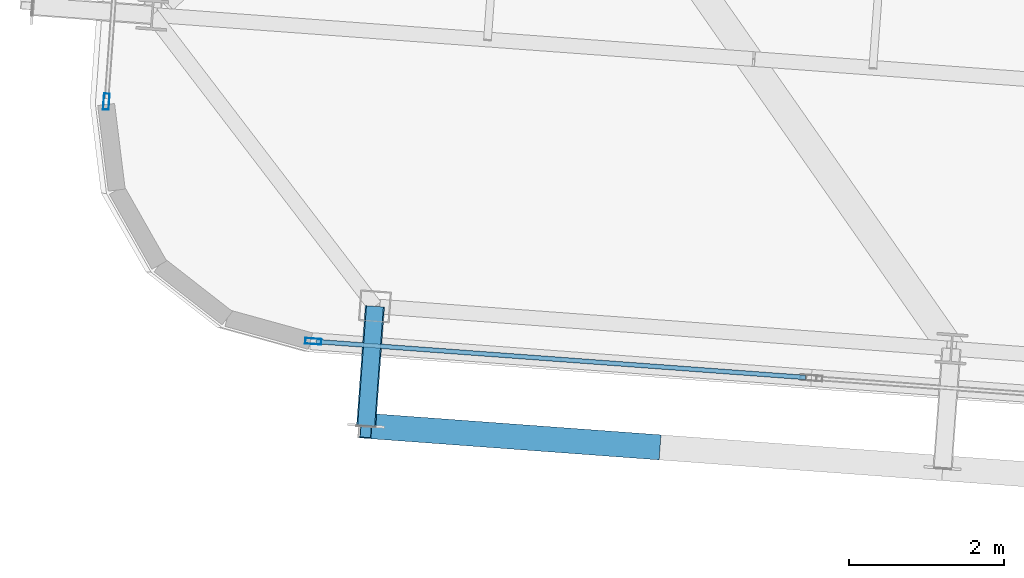
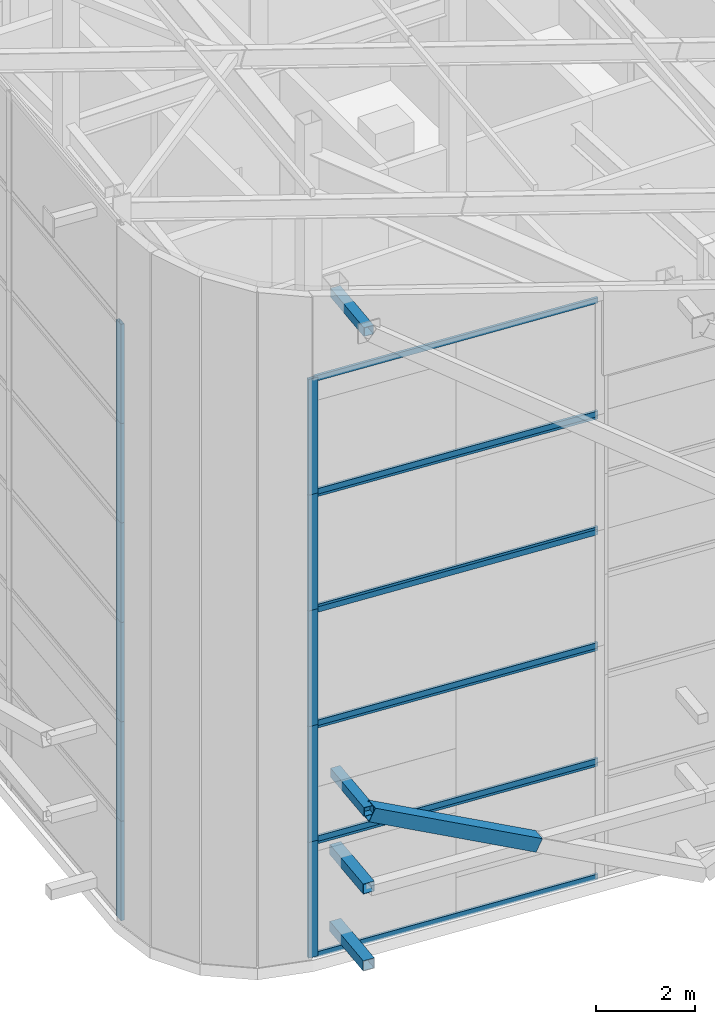
# One storey, part 3 of 56: 26 members, 11 elements without a shape of their own.
"""IFC4 building model written with IfcOpenShell, lengths in metres."""

from ifc_helpers import new_model, si_unit, direction, frame, origin, origin_2d, place, context, subcontext, project, spatial, hollow_rectangle, extrude, source, transform, mapped, material, layer, layer_set, material_profile, profile_set, type_object, element, aggregate, save


model = new_model("IFC4")

# Units and contexts
model_context = context("Model", 3, precision=1e-05, world=origin(), true_north=direction((0.0, 1.0)))
body_context = subcontext(model_context, "Body", "Model", "MODEL_VIEW")
ifc_project = project(units=[si_unit("LENGTHUNIT", "METRE"), si_unit("AREAUNIT", "SQUARE_METRE"), si_unit("VOLUMEUNIT", "CUBIC_METRE"), si_unit("PLANEANGLEUNIT", "RADIAN"), si_unit("MASSUNIT", "GRAM", prefix="KILO")], contexts=[model_context])

# Site, building, storey
site_placement = place(None, origin())
site = spatial("IfcSite", under=ifc_project, at=site_placement, CompositionType="ELEMENT")
building_placement = place(site_placement, origin())
building = spatial("IfcBuilding", under=site, at=building_placement, Name="Taldren Reach Tower", CompositionType="ELEMENT")
storey_placement = place(building_placement, frame((0.0, 0.0, 253.050048828125)))
storey = spatial("IfcBuildingStorey", under=building, at=storey_placement, Name="L77", CompositionType="ELEMENT", Elevation=253.050048828125)

# Members
ifc_material_1 = material(Name="Steel Gr 350 (C350L0)", Category="steel")
ifc_material_profile_1 = material_profile(ifc_material_1, hollow_rectangle(XDim=0.25, YDim=0.25, WallThickness=0.010009765625, at=origin_2d()), Name="250x250x10.0SHS")
ifc_profile_set_1 = profile_set([ifc_material_profile_1], Name="Steel Gr 350 (C350L0)")
member_type_1 = type_object("IfcMemberType", Name="MB-POST250", PredefinedType="POST", material=ifc_profile_set_1)
shared_shape_1 = source(origin(), body_context, "Body", "SweptSolid", [
    extrude(hollow_rectangle(XDim=0.25, YDim=0.25, WallThickness=0.010009765625, at=origin_2d()), origin(), (0.0, 0.0, 1.0), 1.550048828125),
])
for number, where, z_axis, x_axis, name in (
    (1, (15.140625, 6.460205078125, 0.219970703125), (-0.07323929162, -0.997314396849, 0.0), (0.997314396849, -0.07323929162, 0.0), "Exoskeleton base diaphragm tie strut B5-S1 L77"),
    (2, (15.140625, 6.460205078125, 2.10986328125), (-0.07323929162, -0.997314396849, 0.0), (0.997314396849, -0.07323929162, 0.0), "Exoskeleton mid-tier diaphragm tie B5-S1 L77"),
):
    element("IfcMember", number, at=place(storey_placement, frame(where, z_axis=z_axis, x_axis=x_axis)), inside=storey, type_object=member_type_1, Name=name, PredefinedType="POST", context=body_context, shape_type="MappedRepresentation", body=[
        mapped(shared_shape_1, transform((0.0, 0.0, 0.0), scale=1.0)),
    ])
ifc_material_2 = material(Name="Steel Gr 450 (C450L0)", Category="steel")
ifc_material_profile_2 = material_profile(ifc_material_2, hollow_rectangle(XDim=0.219970703125, YDim=0.219970703125, WallThickness=0.00830078125, at=origin_2d()), Name="220x220x8.2SHS")
ifc_profile_set_2 = profile_set([ifc_material_profile_2], Name="Steel Gr 450 (C450L0)")
member_type_2 = type_object("IfcMemberType", Name="MB-TIE219", PredefinedType="STRUT", material=ifc_profile_set_2)
shared_shape_2 = source(origin(), body_context, "Body", "SweptSolid", [
    extrude(hollow_rectangle(XDim=0.219970703125, YDim=0.219970703125, WallThickness=0.00830078125, at=origin_2d()), origin(), (0.0, 0.0, 1.0), 1.550048828125),
])
for number, where, z_axis, x_axis, name in (
    (3, (15.140625, 6.460205078125, 15.810546875), (-0.07323929162, -0.997314396849, 0.0), (0.997314396849, -0.07323929162, 0.0), "Exoskeleton diaphragm tie strut B5-S1 L77"),
    (4, (15.140625, 6.460205078125, 4.0), (-0.07323929162, -0.997314396849, 0.0), (0.997314396849, -0.07323929162, 0.0), "Crown exoskeleton mid-tier tie strut B5-S1"),
):
    element("IfcMember", number, at=place(storey_placement, frame(where, z_axis=z_axis, x_axis=x_axis)), inside=storey, type_object=member_type_2, Name=name, PredefinedType="STRUT", context=body_context, shape_type="MappedRepresentation", body=[
        mapped(shared_shape_2, transform((0.0, 0.0, 0.0), scale=1.0)),
    ])
ifc_material_profile_3 = material_profile(ifc_material_2, hollow_rectangle(XDim=0.324951171875, YDim=0.324951171875, WallThickness=0.0126953125, at=origin_2d()), Name="325x325x12.7SHS")
ifc_profile_set_3 = profile_set([ifc_material_profile_3], Name="Steel Gr 450 (C450L0)")
member_type_3 = type_object("IfcMemberType", Name="MB-BR324", PredefinedType="BRACE", material=ifc_profile_set_3)
shared_shape_3 = source(origin(), body_context, "Body", "SweptSolid", [
    extrude(hollow_rectangle(XDim=0.324951171875, YDim=0.324951171875, WallThickness=0.0126953125, at=origin_2d()), origin(), (0.0, 0.0, 1.0), 4.1904296875),
])
member_1_placement = place(storey_placement, frame((18.757080078125, 4.640380859375, 2.10986328125), z_axis=(-0.890100973194, 0.065368064663, 0.451051298237), x_axis=(-0.07324169103, -0.997314220642, 0.0)))
element("IfcMember", 5, at=member_1_placement, inside=storey, type_object=member_type_3, Name="Exoskeleton Diagrid Brace B5-S1 L77", PredefinedType="BRACE", context=body_context, shape_type="MappedRepresentation", body=[
    mapped(shared_shape_3, transform((0.0, 0.0, 0.0), scale=1.0)),
])

# Curtain wall, member
ifc_material_3 = material(Name="Aluminium and Low-E Glass Unitised System", Category="aluminium")
ifc_layer = layer(ifc_material_3, 0.159912109375)
ifc_layer_set = layer_set([ifc_layer], Name="Aluminium and Low-E Glass Unitised System")
curtain_wall_type = type_object("IfcCurtainWallType", Name="CW-SYS-8", PredefinedType="NOTDEFINED", material=ifc_layer_set)
curtain_wall_1_placement = place(storey_placement, origin())
curtain_wall_1 = element("IfcCurtainWall", 6, at=curtain_wall_1_placement, inside=storey, type_object=curtain_wall_type, Name="Unitised curtain wall CW8-L77-W", PredefinedType="NOTDEFINED")
ifc_material_4 = material(Name="Anodised Aluminium 6063-T6", Category="aluminium")
ifc_material_profile_4 = material_profile(ifc_material_4, hollow_rectangle(XDim=0.074951171875, YDim=0.2099609375, WallThickness=0.00439453125, at=origin_2d()), Name="ALU-210x75x4.5RHS")
ifc_profile_set_4 = profile_set([ifc_material_profile_4], Name="Anodised Aluminium 6063-T6")
member_type_4 = type_object("IfcMemberType", Name="CW-MUL-200", PredefinedType="MULLION", material=ifc_profile_set_4)
shared_shape_4 = source(origin(), body_context, "Body", "SweptSolid", [
    extrude(hollow_rectangle(XDim=0.074951171875, YDim=0.2099609375, WallThickness=0.00439453125, at=origin_2d()), origin(), (0.0, 0.0, 1.0), 2.4462890625),
])
member_2_placement = place(storey_placement, frame((11.665283203125, 9.109375, 0.0), z_axis=(0.0, 0.0, 1.0), x_axis=(0.997314470951, -0.073238282558, 0.0)))
member_2 = element("IfcMember", 7, at=member_2_placement, type_object=member_type_4, Name="CW-8 mullion 6", PredefinedType="MULLION", context=body_context, shape_type="MappedRepresentation", body=[
    mapped(shared_shape_4, transform((0.0, 0.0, 0.0), scale=1.0)),
])
aggregate(curtain_wall_1, [member_2])

curtain_wall_2_placement = place(storey_placement, origin())
curtain_wall_2 = element("IfcCurtainWall", 8, at=curtain_wall_2_placement, inside=storey, type_object=curtain_wall_type, Name="Unitised curtain wall CW8-L77-W-T3", PredefinedType="NOTDEFINED")
member_3_placement = place(storey_placement, frame((11.665283203125, 9.109375, 4.892822265625), z_axis=(0.0, 0.0, 1.0), x_axis=(0.997314470951, -0.073238282558, 0.0)))
member_3 = element("IfcMember", 9, at=member_3_placement, type_object=member_type_4, Name="CW-8 mullion 6", PredefinedType="MULLION", context=body_context, shape_type="MappedRepresentation", body=[
    mapped(shared_shape_4, transform((0.0, 0.0, 0.0), scale=1.0)),
])
aggregate(curtain_wall_2, [member_3])

curtain_wall_3_placement = place(storey_placement, origin())
curtain_wall_3 = element("IfcCurtainWall", 10, at=curtain_wall_3_placement, inside=storey, type_object=curtain_wall_type, Name="Unitised curtain wall CW8-L77-W-T5", PredefinedType="NOTDEFINED")
member_4_placement = place(storey_placement, frame((11.665283203125, 9.109375, 9.78564453125), z_axis=(0.0, 0.0, 1.0), x_axis=(0.997314470951, -0.073238282558, 0.0)))
member_4 = element("IfcMember", 11, at=member_4_placement, type_object=member_type_4, Name="CW-8 mullion 6", PredefinedType="MULLION", context=body_context, shape_type="MappedRepresentation", body=[
    mapped(shared_shape_4, transform((0.0, 0.0, 0.0), scale=1.0)),
])
aggregate(curtain_wall_3, [member_4])

curtain_wall_4_placement = place(storey_placement, origin())
curtain_wall_4 = element("IfcCurtainWall", 12, at=curtain_wall_4_placement, inside=storey, type_object=curtain_wall_type, Name="Unitised curtain wall CW8-L77-W-T2", PredefinedType="NOTDEFINED")
shared_shape_5 = source(origin(), body_context, "Body", "SweptSolid", [
    extrude(hollow_rectangle(XDim=0.074951171875, YDim=0.2099609375, WallThickness=0.00439453125, at=origin_2d()), origin(), (0.0, 0.0, 1.0), 2.446533203125),
])
member_5_placement = place(storey_placement, frame((11.665283203125, 9.109375, 2.4462890625), z_axis=(0.0, 0.0, 1.0), x_axis=(0.997314470951, -0.073238282558, 0.0)))
member_5 = element("IfcMember", 13, at=member_5_placement, type_object=member_type_4, Name="CW-8 mullion 6", PredefinedType="MULLION", context=body_context, shape_type="MappedRepresentation", body=[
    mapped(shared_shape_5, transform((0.0, 0.0, 0.0), scale=1.0)),
])
aggregate(curtain_wall_4, [member_5])

curtain_wall_5_placement = place(storey_placement, origin())
curtain_wall_5 = element("IfcCurtainWall", 14, at=curtain_wall_5_placement, inside=storey, type_object=curtain_wall_type, Name="Unitised curtain wall CW8-L77-W-T4", PredefinedType="NOTDEFINED")
member_6_placement = place(storey_placement, frame((11.665283203125, 9.109375, 7.339111328125), z_axis=(0.0, 0.0, 1.0), x_axis=(0.997314470951, -0.073238282558, 0.0)))
member_6 = element("IfcMember", 15, at=member_6_placement, type_object=member_type_4, Name="CW-8 mullion 6", PredefinedType="MULLION", context=body_context, shape_type="MappedRepresentation", body=[
    mapped(shared_shape_5, transform((0.0, 0.0, 0.0), scale=1.0)),
])
aggregate(curtain_wall_5, [member_6])

curtain_wall_6_placement = place(storey_placement, origin())
curtain_wall_6 = element("IfcCurtainWall", 16, at=curtain_wall_6_placement, inside=storey, type_object=curtain_wall_type, Name="Unitised curtain wall CW8-L77-W-T6", PredefinedType="NOTDEFINED")
member_7_placement = place(storey_placement, frame((11.665283203125, 9.109375, 12.23193359375), z_axis=(0.0, 0.0, 1.0), x_axis=(0.997314470951, -0.073238282558, 0.0)))
member_7 = element("IfcMember", 17, at=member_7_placement, type_object=member_type_4, Name="CW-8 mullion 6", PredefinedType="MULLION", context=body_context, shape_type="MappedRepresentation", body=[
    mapped(shared_shape_5, transform((0.0, 0.0, 0.0), scale=1.0)),
])
aggregate(curtain_wall_6, [member_7])

curtain_wall_7_placement = place(storey_placement, origin())
curtain_wall_7 = element("IfcCurtainWall", 18, at=curtain_wall_7_placement, inside=storey, type_object=curtain_wall_type, Name="Unitised curtain wall CW8-L77-S1", PredefinedType="NOTDEFINED")
shared_shape_6 = source(origin(), body_context, "Body", "SweptSolid", [
    extrude(hollow_rectangle(XDim=0.074951171875, YDim=0.2099609375, WallThickness=0.00439453125, at=origin_2d()), origin(), (0.0, 0.0, 1.0), 2.848388671875),
])
member_8_placement = place(storey_placement, frame((14.3427734375, 6.007568359375, 0.0), z_axis=(0.0, 0.0, 1.0), x_axis=(0.073238506213, 0.997314454527, 0.0)))
member_8 = element("IfcMember", 19, at=member_8_placement, type_object=member_type_4, Name="CW-8 mullion 1", PredefinedType="MULLION", context=body_context, shape_type="MappedRepresentation", body=[
    mapped(shared_shape_6, transform((0.0, 0.0, 0.0), scale=1.0)),
])

curtain_wall_8_placement = place(storey_placement, origin())
curtain_wall_8 = element("IfcCurtainWall", 20, at=curtain_wall_8_placement, inside=storey, type_object=curtain_wall_type, Name="Unitised curtain wall CW8-L77-S1-T3", PredefinedType="NOTDEFINED")
member_9_placement = place(storey_placement, frame((14.3427734375, 6.007568359375, 5.696533203125), z_axis=(0.0, 0.0, 1.0), x_axis=(0.073238506213, 0.997314454527, 0.0)))
member_9 = element("IfcMember", 21, at=member_9_placement, type_object=member_type_4, Name="CW-8 mullion 1", PredefinedType="MULLION", context=body_context, shape_type="MappedRepresentation", body=[
    mapped(shared_shape_6, transform((0.0, 0.0, 0.0), scale=1.0)),
])

curtain_wall_9_placement = place(storey_placement, origin())
curtain_wall_9 = element("IfcCurtainWall", 22, at=curtain_wall_9_placement, inside=storey, type_object=curtain_wall_type, Name="Unitised curtain wall CW8-L77-S1-T4", PredefinedType="NOTDEFINED")
member_10_placement = place(storey_placement, frame((14.3427734375, 6.007568359375, 8.544921875), z_axis=(0.0, 0.0, 1.0), x_axis=(0.073238506213, 0.997314454527, 0.0)))
member_10 = element("IfcMember", 23, at=member_10_placement, type_object=member_type_4, Name="CW-8 mullion 1", PredefinedType="MULLION", context=body_context, shape_type="MappedRepresentation", body=[
    mapped(shared_shape_6, transform((0.0, 0.0, 0.0), scale=1.0)),
])

# Member
ifc_material_profile_5 = material_profile(ifc_material_4, hollow_rectangle(XDim=0.06005859375, YDim=0.135009765625, WallThickness=0.00341796875, at=origin_2d()), Name="ALU-135x60x3.5RHS")
ifc_profile_set_5 = profile_set([ifc_material_profile_5], Name="Anodised Aluminium 6063-T6")
member_type_5 = type_object("IfcMemberType", Name="CW-TRN-150", PredefinedType="USERDEFINED", material=ifc_profile_set_5)
shared_shape_7 = source(origin(), body_context, "Body", "SweptSolid", [
    extrude(hollow_rectangle(XDim=0.06005859375, YDim=0.135009765625, WallThickness=0.00341796875, at=origin_2d()), origin(), (0.0, 0.0, 1.0), 6.349853515625),
])
member_11_placement = place(storey_placement, frame((14.38037109375, 6.004638671875, 0.030029296875), z_axis=(0.997314030932, -0.073244274217, 0.0), x_axis=(0.073244274217, 0.997314030932, 0.0)))
member_11 = element("IfcMember", 24, at=member_11_placement, type_object=member_type_5, Name="CW-8 transom 1.1", ObjectType="TRANSOM", PredefinedType="USERDEFINED", context=body_context, shape_type="MappedRepresentation", body=[
    mapped(shared_shape_7, transform((0.0, 0.0, 0.0), scale=1.0)),
])

member_12_placement = place(storey_placement, frame((14.38037109375, 6.004638671875, 2.818359375), z_axis=(0.997314030932, -0.073244274217, 0.0), x_axis=(0.073244274217, 0.997314030932, 0.0)))
member_12 = element("IfcMember", 25, at=member_12_placement, type_object=member_type_5, Name="CW-8 transom 1.2", ObjectType="TRANSOM", PredefinedType="USERDEFINED", context=body_context, shape_type="MappedRepresentation", body=[
    mapped(shared_shape_7, transform((0.0, 0.0, 0.0), scale=1.0)),
])

aggregate(curtain_wall_7, [member_8, member_11, member_12])

# Curtain wall, members
curtain_wall_10_placement = place(storey_placement, origin())
curtain_wall_10 = element("IfcCurtainWall", 26, at=curtain_wall_10_placement, inside=storey, type_object=curtain_wall_type, Name="Unitised curtain wall CW8-L77-S1-T2", PredefinedType="NOTDEFINED")
member_13_placement = place(storey_placement, frame((14.38037109375, 6.004638671875, 2.878173828125), z_axis=(0.997314030932, -0.073244274217, 0.0), x_axis=(0.073244274217, 0.997314030932, 0.0)))
member_13 = element("IfcMember", 27, at=member_13_placement, type_object=member_type_5, Name="CW-8 transom 1.1", ObjectType="TRANSOM", PredefinedType="USERDEFINED", context=body_context, shape_type="MappedRepresentation", body=[
    mapped(shared_shape_7, transform((0.0, 0.0, 0.0), scale=1.0)),
])
member_14_placement = place(storey_placement, frame((14.38037109375, 6.004638671875, 5.66650390625), z_axis=(0.997314030932, -0.073244274217, 0.0), x_axis=(0.073244274217, 0.997314030932, 0.0)))
member_14 = element("IfcMember", 28, at=member_14_placement, type_object=member_type_5, Name="CW-8 transom 1.2", ObjectType="TRANSOM", PredefinedType="USERDEFINED", context=body_context, shape_type="MappedRepresentation", body=[
    mapped(shared_shape_7, transform((0.0, 0.0, 0.0), scale=1.0)),
])

# Member
member_15_placement = place(storey_placement, frame((14.38037109375, 6.004638671875, 5.7265625), z_axis=(0.997314030932, -0.073244274217, 0.0), x_axis=(0.073244274217, 0.997314030932, 0.0)))
member_15 = element("IfcMember", 29, at=member_15_placement, type_object=member_type_5, Name="CW-8 transom 1.1", ObjectType="TRANSOM", PredefinedType="USERDEFINED", context=body_context, shape_type="MappedRepresentation", body=[
    mapped(shared_shape_7, transform((0.0, 0.0, 0.0), scale=1.0)),
])

member_16_placement = place(storey_placement, frame((14.38037109375, 6.004638671875, 8.514892578125), z_axis=(0.997314030932, -0.073244274217, 0.0), x_axis=(0.073244274217, 0.997314030932, 0.0)))
member_16 = element("IfcMember", 30, at=member_16_placement, type_object=member_type_5, Name="CW-8 transom 1.2", ObjectType="TRANSOM", PredefinedType="USERDEFINED", context=body_context, shape_type="MappedRepresentation", body=[
    mapped(shared_shape_7, transform((0.0, 0.0, 0.0), scale=1.0)),
])

aggregate(curtain_wall_8, [member_9, member_15, member_16])

member_17_placement = place(storey_placement, frame((14.38037109375, 6.004638671875, 8.574951171875), z_axis=(0.997314030932, -0.073244274217, 0.0), x_axis=(0.073244274217, 0.997314030932, 0.0)))
member_17 = element("IfcMember", 31, at=member_17_placement, type_object=member_type_5, Name="CW-8 transom 1.1", ObjectType="TRANSOM", PredefinedType="USERDEFINED", context=body_context, shape_type="MappedRepresentation", body=[
    mapped(shared_shape_7, transform((0.0, 0.0, 0.0), scale=1.0)),
])

member_18_placement = place(storey_placement, frame((14.38037109375, 6.004638671875, 11.36328125), z_axis=(0.997314030932, -0.073244274217, 0.0), x_axis=(0.073244274217, 0.997314030932, 0.0)))
member_18 = element("IfcMember", 32, at=member_18_placement, type_object=member_type_5, Name="CW-8 transom 1.2", ObjectType="TRANSOM", PredefinedType="USERDEFINED", context=body_context, shape_type="MappedRepresentation", body=[
    mapped(shared_shape_7, transform((0.0, 0.0, 0.0), scale=1.0)),
])

aggregate(curtain_wall_9, [member_10, member_17, member_18])

# Curtain wall, members
curtain_wall_11_placement = place(storey_placement, origin())
curtain_wall_11 = element("IfcCurtainWall", 33, at=curtain_wall_11_placement, inside=storey, type_object=curtain_wall_type, Name="Unitised curtain wall CW8-L77-S1-T5", PredefinedType="NOTDEFINED")
member_19_placement = place(storey_placement, frame((14.38037109375, 6.004638671875, 11.42333984375), z_axis=(0.997314030932, -0.073244274217, 0.0), x_axis=(0.073244274217, 0.997314030932, 0.0)))
member_19 = element("IfcMember", 34, at=member_19_placement, type_object=member_type_5, Name="CW-8 transom 1.1", ObjectType="TRANSOM", PredefinedType="USERDEFINED", context=body_context, shape_type="MappedRepresentation", body=[
    mapped(shared_shape_7, transform((0.0, 0.0, 0.0), scale=1.0)),
])
member_20_placement = place(storey_placement, frame((14.38037109375, 6.004638671875, 14.211669921875), z_axis=(0.997314030932, -0.073244274217, 0.0), x_axis=(0.073244274217, 0.997314030932, 0.0)))
member_20 = element("IfcMember", 35, at=member_20_placement, type_object=member_type_5, Name="CW-8 transom 1.2", ObjectType="TRANSOM", PredefinedType="USERDEFINED", context=body_context, shape_type="MappedRepresentation", body=[
    mapped(shared_shape_7, transform((0.0, 0.0, 0.0), scale=1.0)),
])

# Member
shared_shape_8 = source(origin(), body_context, "Body", "SweptSolid", [
    extrude(hollow_rectangle(XDim=0.074951171875, YDim=0.2099609375, WallThickness=0.00439453125, at=origin_2d()), origin(), (0.0, 0.0, 1.0), 2.84814453125),
])
member_21_placement = place(storey_placement, frame((14.3427734375, 6.007568359375, 2.848388671875), z_axis=(0.0, 0.0, 1.0), x_axis=(0.073238506213, 0.997314454527, 0.0)))
member_21 = element("IfcMember", 36, at=member_21_placement, type_object=member_type_4, Name="CW-8 mullion 1", PredefinedType="MULLION", context=body_context, shape_type="MappedRepresentation", body=[
    mapped(shared_shape_8, transform((0.0, 0.0, 0.0), scale=1.0)),
])

aggregate(curtain_wall_10, [member_21, member_13, member_14])

member_22_placement = place(storey_placement, frame((14.3427734375, 6.007568359375, 11.393310546875), z_axis=(0.0, 0.0, 1.0), x_axis=(0.073238506213, 0.997314454527, 0.0)))
member_22 = element("IfcMember", 37, at=member_22_placement, type_object=member_type_4, Name="CW-8 mullion 1", PredefinedType="MULLION", context=body_context, shape_type="MappedRepresentation", body=[
    mapped(shared_shape_8, transform((0.0, 0.0, 0.0), scale=1.0)),
])

aggregate(curtain_wall_11, [member_22, member_19, member_20])

save(model, "model.ifc")
